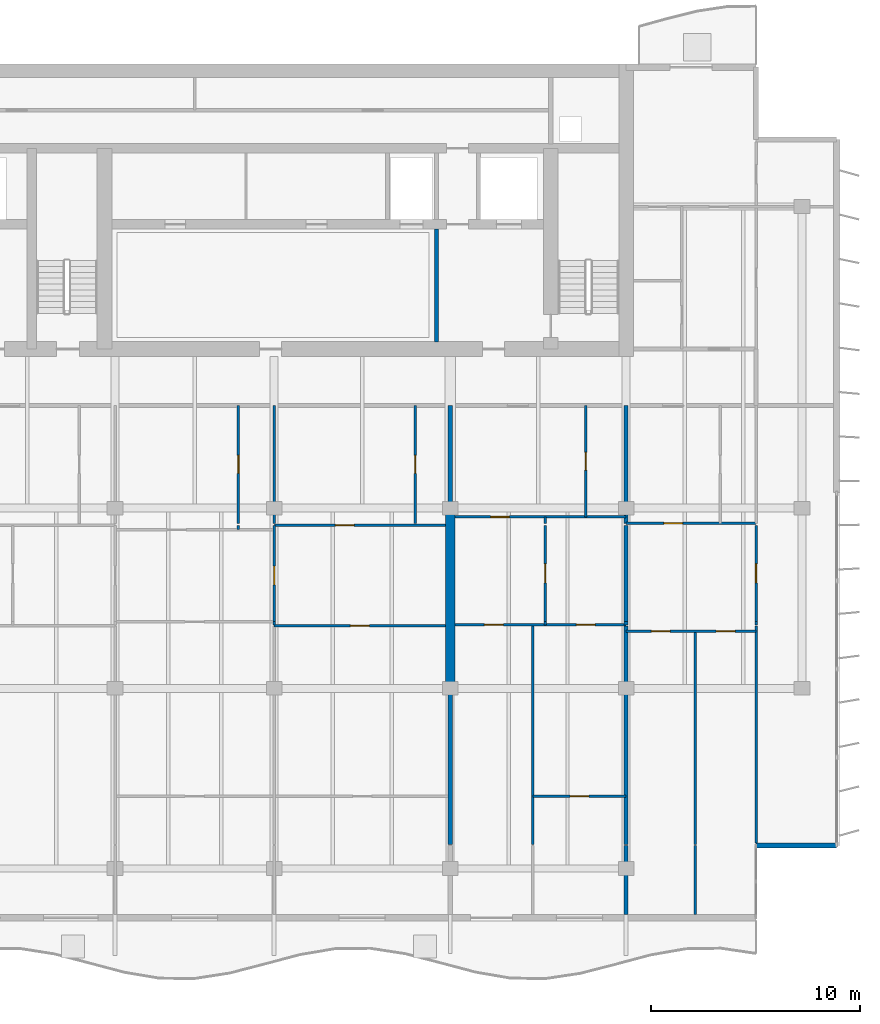
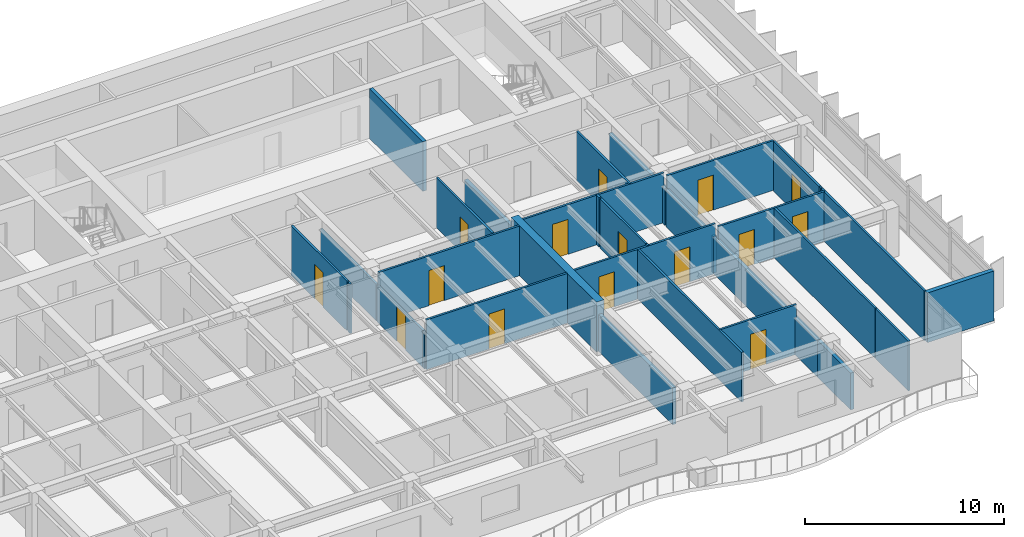
# One storey, part 10 of 19: 33 walls, 15 doors, 15 openings.
"""IFC4 building model written with IfcOpenShell, lengths in metres."""

import ifcopenshell
import ifcopenshell.guid

model = None  # the IFC model being written
_history = None  # IfcOwnerHistory: only IFC2X3 demands one
_inside = {}  # id of a spatial element -> (the spatial element, [elements in it])
_under = {}  # id of a project, library or spatial element -> (it, [spatial elements below it])
_declared = {}  # id of a project -> (the project, [libraries it declares])
_typed = {}  # id of a type object -> (the type object, [elements of that type])
_made_of = {}  # id of a material, layer set ... -> (it, [elements and type objects made of it])


def new_model(schema):
    """Start an empty IFC model of exactly this schema.

    Asked for "IFC4X3", IfcOpenShell would pick the latest addendum, in which some entities
    have other attributes; the version numbers below select the first issue.
    IFC2X3 requires an IfcOwnerHistory on every rooted entity: one is made here for all.
    """
    global model, _history
    if schema == "IFC4X3":
        model = ifcopenshell.file(schema_version=(4, 3, 0, 0))
    else:
        model = ifcopenshell.file(schema=schema)
    _inside.clear()
    _under.clear()
    _declared.clear()
    _typed.clear()
    _made_of.clear()
    _history = None
    if model.schema == "IFC2X3":
        org = make("IfcOrganization", Name="unknown")
        user = make(
            "IfcPersonAndOrganization",
            ThePerson=make("IfcPerson", FamilyName="unknown"),
            TheOrganization=org,
        )
        app = make(
            "IfcApplication",
            ApplicationDeveloper=org,
            Version="unknown",
            ApplicationFullName="unknown",
            ApplicationIdentifier="unknown",
        )
        _history = make(
            "IfcOwnerHistory",
            OwningUser=user,
            OwningApplication=app,
            ChangeAction="ADDED",
            CreationDate=0,
        )
    return model


def make(cls, **values):
    """One entity of the class cls with the attributes given. An attribute that is None is left unset."""
    return model.create_entity(
        cls, **{name: value for name, value in values.items() if value is not None}
    )


def rooted(cls, **values):
    """An entity with a GlobalId (a new one), such as an element, a storey or a relation."""
    return make(cls, GlobalId=ifcopenshell.guid.new(), OwnerHistory=_history, **values)


def si_unit(unit_type, name, prefix=None):
    """IfcSIUnit, for example si_unit("LENGTHUNIT", "METRE", prefix="MILLI")."""
    return make("IfcSIUnit", UnitType=unit_type, Prefix=prefix, Name=name)


def assignment(units):
    """IfcUnitAssignment: the units of a project."""
    return None if units is None else make("IfcUnitAssignment", Units=units)


def point(xyz):
    """IfcCartesianPoint."""
    return None if xyz is None else make("IfcCartesianPoint", Coordinates=xyz)


def direction(xyz):
    """IfcDirection."""
    return None if xyz is None else make("IfcDirection", DirectionRatios=xyz)


def frame(location, z_axis=None, x_axis=None):
    """IfcAxis2Placement3D, a coordinate frame: its origin and axes. An axis left out is left unset."""
    return make(
        "IfcAxis2Placement3D",
        Location=point(location),
        Axis=direction(z_axis),
        RefDirection=direction(x_axis),
    )


def frame_2d(location, x_axis=None):
    """IfcAxis2Placement2D, a coordinate frame in the plane: its origin and x axis."""
    return make(
        "IfcAxis2Placement2D", Location=point(location), RefDirection=direction(x_axis)
    )


def origin():
    """The frame at (0, 0, 0) with its axes left unset."""
    return frame((0.0, 0.0, 0.0))


def place(relative_to, where):
    """IfcLocalPlacement: puts the frame where relative to a parent placement (None: the world)."""
    return make(
        "IfcLocalPlacement", PlacementRelTo=relative_to, RelativePlacement=where
    )


def context(
    kind, dimensions, precision=None, world=None, true_north=None, identifier=None
):
    """IfcGeometricRepresentationContext, for example the 3D "Model" context."""
    return make(
        "IfcGeometricRepresentationContext",
        ContextIdentifier=identifier,
        ContextType=kind,
        CoordinateSpaceDimension=dimensions,
        Precision=precision,
        WorldCoordinateSystem=world,
        TrueNorth=true_north,
    )


def subcontext(parent, identifier, kind, view, scale=None):
    """IfcGeometricRepresentationSubContext, for example "Body" below "Model"."""
    return make(
        "IfcGeometricRepresentationSubContext",
        ContextIdentifier=identifier,
        ContextType=kind,
        ParentContext=parent,
        TargetScale=scale,
        TargetView=view,
    )


def project(units=None, contexts=None):
    """IfcProject with its units and contexts."""
    return rooted(
        "IfcProject",
        Name="project",
        RepresentationContexts=contexts,
        UnitsInContext=assignment(units),
    )


def spatial(cls, under=None, at=None, **own):
    """A site, building, storey or space (cls), placed at a placement, below another one or the project."""
    s = rooted(cls, ObjectPlacement=at, **own)
    if under is not None:
        _under.setdefault(under.id(), (under, []))[1].append(s)
    return s


def profile(cls, at=None, kind="AREA", **sizes):
    """A parametric profile (cls). Its sizes go by their IFC names, for example OverallWidth=200.0."""
    return make(cls, ProfileType=kind, Position=at, **sizes)


def rectangle(**sizes):
    """IfcRectangleProfileDef."""
    return profile("IfcRectangleProfileDef", **sizes)


def extrude(swept, where, along, depth):
    """IfcExtrudedAreaSolid: the profile swept, set in the frame where, extruded along a direction by depth."""
    return make(
        "IfcExtrudedAreaSolid",
        SweptArea=swept,
        Position=where,
        ExtrudedDirection=direction(along),
        Depth=depth,
    )


def shape(context_of_items, identifier, shape_type, items):
    """IfcShapeRepresentation: the items that make up one representation, for example the "Body"."""
    return make(
        "IfcShapeRepresentation",
        ContextOfItems=context_of_items,
        RepresentationIdentifier=identifier,
        RepresentationType=shape_type,
        Items=items,
    )


def material(Name=None, Category=None):
    """IfcMaterial."""
    return make("IfcMaterial", Name=Name, Category=Category)


def layer(
    of_material, thickness, ventilated=None, Name=None, Category=None, Priority=None
):
    """IfcMaterialLayer: one layer of a wall or slab, of a material (None: an air gap)."""
    return make(
        "IfcMaterialLayer",
        Material=of_material,
        LayerThickness=thickness,
        IsVentilated=ventilated,
        Name=Name,
        Category=Category,
        Priority=Priority,
    )


def layer_set(layers, Name=None):
    """IfcMaterialLayerSet."""
    return make("IfcMaterialLayerSet", MaterialLayers=layers, LayerSetName=Name)


def made_of(thing, what):
    """Note that an element or type object is made of a material, layer set ...; save() writes the relation."""
    if what is not None:
        _made_of.setdefault(what.id(), (what, []))[1].append(thing)
    return thing


def type_object(cls, material=None, **own):
    """A type object (cls), such as IfcWallType, which elements share."""
    return made_of(rooted(cls, **own), material)


def element(
    cls,
    number,
    at=None,
    inside=None,
    cuts=None,
    type_object=None,
    material=None,
    context=None,
    identifier="Body",
    shape_type=None,
    held_by="IfcProductDefinitionShape",
    body=None,
    shapes=None,
    **own,
):
    """One element of the class cls, such as IfcWall. Its Tag is "e" and its number.

    at: its placement. inside: the storey or other place that contains it. cuts: it is an
    opening in that element (IfcRelVoidsElement). A single representation is given by context,
    identifier, shape_type and body (its items); several are given by shapes. held_by: the class
    of the entity that holds the representations. save() writes the other relations.
    """
    e = rooted(cls, Tag="e%d" % number, ObjectPlacement=at, **own)
    if body is not None:
        shapes = [shape(context, identifier, shape_type, body)]
    if shapes is not None:
        e.Representation = make(held_by, Representations=shapes)
    if inside is not None:
        _inside.setdefault(inside.id(), (inside, []))[1].append(e)
    if cuts is not None:
        rooted(
            "IfcRelVoidsElement", RelatingBuildingElement=cuts, RelatedOpeningElement=e
        )
    if type_object is not None:
        _typed.setdefault(type_object.id(), (type_object, []))[1].append(e)
    return made_of(e, material)


def fill(opening, filler):
    """IfcRelFillsElement: the door or window that sits in an opening."""
    return rooted(
        "IfcRelFillsElement",
        RelatingOpeningElement=opening,
        RelatedBuildingElement=filler,
    )


def aggregate(whole, parts):
    """IfcRelAggregates: a whole, such as a stair, and the parts it consists of."""
    return rooted("IfcRelAggregates", RelatingObject=whole, RelatedObjects=parts)


def save(model, path):
    """Write the relations noted so far, then the file.

    IfcRelAggregates (storeys below a building ...), IfcRelContainedInSpatialStructure (elements
    in a storey), IfcRelDefinesByType, IfcRelAssociatesMaterial and IfcRelDeclares: one each for
    every whole, place, type object, material and project.
    """
    for whole, parts in _under.values():
        aggregate(whole, parts)
    for where, things in _inside.values():
        rooted(
            "IfcRelContainedInSpatialStructure",
            RelatedElements=things,
            RelatingStructure=where,
        )
    for kind, things in _typed.values():
        rooted("IfcRelDefinesByType", RelatedObjects=things, RelatingType=kind)
    for what, things in _made_of.values():
        rooted("IfcRelAssociatesMaterial", RelatedObjects=things, RelatingMaterial=what)
    for by, libraries in _declared.values():
        rooted("IfcRelDeclares", RelatingContext=by, RelatedDefinitions=libraries)
    model.write(path)


model = new_model("IFC4")

# Units and contexts
model_context = context("Model", 3, precision=1e-05, world=origin(), true_north=direction((0.0, 1.0)))
body_context = subcontext(model_context, "Body", "Model", "MODEL_VIEW")
ifc_project = project(units=[si_unit("LENGTHUNIT", "METRE"), si_unit("AREAUNIT", "SQUARE_METRE"), si_unit("VOLUMEUNIT", "CUBIC_METRE"), si_unit("PLANEANGLEUNIT", "RADIAN"), si_unit("MASSUNIT", "GRAM", prefix="KILO")], contexts=[model_context])

# Site, building, storey
site_placement = place(None, origin())
site = spatial("IfcSite", under=ifc_project, at=site_placement, CompositionType="ELEMENT")
building_placement = place(site_placement, origin())
building = spatial("IfcBuilding", under=site, at=building_placement, Name="Caelmar Bay Residences", CompositionType="ELEMENT")
storey_placement = place(building_placement, frame((0.0, 0.0, 256.199951171875)))
storey = spatial("IfcBuildingStorey", under=building, at=storey_placement, Name="L72", CompositionType="ELEMENT", Elevation=256.199951171875)

# Walls
ifc_material_1 = material(Name="Concrete f'c 55 MPa (8,000 psi)", Category="concrete")
ifc_layer_1 = layer(ifc_material_1, 0.449951171875)
ifc_layer_set_1 = layer_set([ifc_layer_1], Name="Concrete f'c 55 MPa (8,000 psi)")
wall_type_1 = type_object("IfcWallType", Name="SW-XSLB-450", PredefinedType="SHEAR", material=ifc_layer_set_1)
wall_1_placement = place(storey_placement, frame((51.10009765625, 20.800048828125, 0.0), z_axis=(0.0, 0.0, 1.0), x_axis=(0.0, 1.0, 0.0)))
element("IfcWall", 1, at=wall_1_placement, inside=storey, type_object=wall_type_1, Name="L72 Transverse Cross-Slab Shear Wall E8", PredefinedType="SHEAR", context=body_context, shape_type="SweptSolid", body=[
    extrude(rectangle(XDim=8.599853515625, YDim=0.449951171875, at=frame_2d((4.2998046875, 0.0))), origin(), (0.0, 0.0, 1.0), 3.050048828125),
])
ifc_material_2 = material(Name="Precast concrete f'c 40 MPa (6,000 psi)", Category="concrete")
ifc_layer_2 = layer(ifc_material_2, 0.25)
ifc_layer_set_2 = layer_set([ifc_layer_2], Name="Precast concrete f'c 40 MPa (6,000 psi)")
wall_type_2 = type_object("IfcWallType", Name="W-EXT-250", PredefinedType="ELEMENTEDWALL", material=ifc_layer_set_2)
wall_2_placement = place(storey_placement, frame((65.699951171875, 13.300048828125, 0.0), z_axis=(0.0, 0.0, 1.0), x_axis=(1.0, 0.0, 0.0)))
element("IfcWall", 2, at=wall_2_placement, inside=storey, type_object=wall_type_2, Name="L72 SE Notch Return Wall", PredefinedType="ELEMENTEDWALL", context=body_context, shape_type="SweptSolid", body=[
    extrude(rectangle(XDim=3.85009765625, YDim=0.25, at=frame_2d((1.925048828125, 0.0))), origin(), (0.0, 0.0, 1.0), 3.050048828125),
])
ifc_material_3 = material(Name="Fire-rated masonry and gypsum shaftliner assembly 200 mm", Category="masonry")
ifc_layer_3 = layer(ifc_material_3, 0.199951171875)
ifc_layer_set_3 = layer_set([ifc_layer_3], Name="Fire-rated masonry and gypsum shaftliner assembly 200 mm")
wall_type_3 = type_object("IfcWallType", Name="W-FSAE-200", PredefinedType="PARTITIONING", material=ifc_layer_set_3)
wall_3_placement = place(storey_placement, frame((50.449951171875, 37.344970703125, 0.0), z_axis=(0.0, 0.0, 1.0), x_axis=(0.0, 1.0, 0.0)))
element("IfcWall", 3, at=wall_3_placement, inside=storey, type_object=wall_type_3, Name="L72 Partition Wall V041", PredefinedType="PARTITIONING", context=body_context, shape_type="SweptSolid", body=[
    extrude(rectangle(XDim=5.385009765625, YDim=0.199951171875, at=frame_2d((2.6923828125, 0.0))), origin(), (0.0, 0.0, 1.0), 3.050048828125),
])
ifc_material_4 = material(Name="Acoustic metal-stud gypsum partition 120 mm")
ifc_layer_4 = layer(ifc_material_4, 0.1201171875)
ifc_layer_set_4 = layer_set([ifc_layer_4], Name="Acoustic metal-stud gypsum partition 120 mm")
wall_type_4 = type_object("IfcWallType", Name="W-PRT-120", PredefinedType="PARTITIONING", material=ifc_layer_set_4)
wall_4_placement = place(storey_placement, frame((40.993896484375, 28.3798828125, 0.0), z_axis=(0.0, 0.0, 1.0), x_axis=(0.0, 1.0, 0.0)))
element("IfcWall", 4, at=wall_4_placement, inside=storey, type_object=wall_type_4, Name="L72 Partition Wall V031", PredefinedType="PARTITIONING", context=body_context, shape_type="SweptSolid", body=[
    extrude(rectangle(XDim=0.2001953125, YDim=0.1201171875, at=frame_2d((0.10009765625, 0.0))), origin(), (0.0, 0.0, 1.0), 3.050048828125),
])

# Wall, opening, door
wall_5_placement = place(storey_placement, frame((40.993896484375, 28.679931640625, 0.0), z_axis=(0.0, 0.0, 1.0), x_axis=(0.0, 1.0, 0.0)))
wall_5 = element("IfcWall", 5, at=wall_5_placement, inside=storey, type_object=wall_type_4, Name="L72 Partition Wall V032", PredefinedType="PARTITIONING", context=body_context, shape_type="SweptSolid", body=[
    extrude(rectangle(XDim=5.6201171875, YDim=0.1201171875, at=frame_2d((2.81005859375, 0.0))), origin(), (0.0, 0.0, 1.0), 3.050048828125),
])
opening_1_placement = place(wall_5_placement, frame((2.385009765625, 0.0, 0.0)))
opening_1 = element("IfcOpeningElement", 6, at=opening_1_placement, cuts=wall_5, Name="Opening D-L72-136", PredefinedType="OPENING", context=body_context, shape_type="SweptSolid", body=[
    extrude(rectangle(XDim=0.85009765625, YDim=2.10009765625, at=frame_2d((0.425048828125, 1.050048828125))), frame((0.0, 0.070068359375, 0.0), z_axis=(0.0, -1.0, 0.0), x_axis=(1.0, 0.0, 0.0)), (0.0, 0.0, 1.0), 0.14013671875),
])
ifc_material_5 = material(Name="Solid walnut timber interior door leaf and frame", Category="wood")
ifc_layer_5 = layer(ifc_material_5, 0.050048828125)
ifc_layer_set_5 = layer_set([ifc_layer_5], Name="Solid walnut timber interior door leaf and frame")
door_type_1 = type_object("IfcDoorType", Name="D-BATH-850", OperationType="NOTDEFINED", PredefinedType="DOOR", material=ifc_layer_set_5)
door_1_placement = place(opening_1_placement, origin())
door_1 = element("IfcDoor", 7, at=door_1_placement, inside=storey, type_object=door_type_1, Name="L72 Residence 02 En-Suite Bathroom 1 Door", OperationType="SINGLE_SWING_RIGHT", OverallHeight=2.10009765625, OverallWidth=0.85009765625, PredefinedType="DOOR", context=body_context, shape_type="SweptSolid", body=[
    extrude(rectangle(XDim=0.85009765625, YDim=2.10009765625, at=frame_2d((0.425048828125, 1.050048828125))), frame((0.0, 0.02490234375, 0.0), z_axis=(0.0, -1.0, 0.0), x_axis=(1.0, 0.0, 0.0)), (0.0, 0.0, 1.0), 0.050048828125),
])
fill(opening_1, door_1)

# Wall
wall_6_placement = place(storey_placement, frame((42.699951171875, 23.830078125, 0.0), z_axis=(0.0, 0.0, 1.0), x_axis=(0.0, 1.0, 0.0)))
element("IfcWall", 8, at=wall_6_placement, inside=storey, type_object=wall_type_4, Name="L72 Partition Wall V036", PredefinedType="PARTITIONING", context=body_context, shape_type="SweptSolid", body=[
    extrude(rectangle(XDim=0.14990234375, YDim=0.1201171875, at=frame_2d((0.074951171875, 0.0))), origin(), (0.0, 0.0, 1.0), 2.262939453125),
])

# Wall, opening, door
wall_7_placement = place(storey_placement, frame((42.699951171875, 24.0, 0.0), z_axis=(0.0, 0.0, 1.0), x_axis=(0.0, 1.0, 0.0)))
wall_7 = element("IfcWall", 9, at=wall_7_placement, inside=storey, type_object=wall_type_4, Name="L72 Partition Wall V037", PredefinedType="PARTITIONING", context=body_context, shape_type="SweptSolid", body=[
    extrude(rectangle(XDim=4.580078125, YDim=0.1201171875, at=frame_2d((2.2900390625, 0.0))), origin(), (0.0, 0.0, 1.0), 2.262939453125),
])
opening_2_placement = place(wall_7_placement, frame((1.739990234375, 0.0, 0.0)))
opening_2 = element("IfcOpeningElement", 10, at=opening_2_placement, cuts=wall_7, Name="Opening D-L72-139", PredefinedType="OPENING", context=body_context, shape_type="SweptSolid", body=[
    extrude(rectangle(XDim=0.89990234375, YDim=2.14990234375, at=frame_2d((0.449951171875, 1.074951171875))), frame((0.0, 0.070068359375, 0.0), z_axis=(0.0, -1.0, 0.0), x_axis=(1.0, 0.0, 0.0)), (0.0, 0.0, 1.0), 0.14013671875),
])
ifc_layer_6 = layer(ifc_material_5, 0.050048828125)
ifc_layer_set_6 = layer_set([ifc_layer_6], Name="Solid walnut timber interior door leaf and frame")
door_type_2 = type_object("IfcDoorType", Name="D-ROOM-900", OperationType="NOTDEFINED", PredefinedType="DOOR", material=ifc_layer_set_6)
door_2_placement = place(opening_2_placement, origin())
door_2 = element("IfcDoor", 11, at=door_2_placement, inside=storey, type_object=door_type_2, Name="L72 Residence 02 Family Room 2 Door", OperationType="SINGLE_SWING_LEFT", OverallHeight=2.14990234375, OverallWidth=0.89990234375, PredefinedType="DOOR", context=body_context, shape_type="SweptSolid", body=[
    extrude(rectangle(XDim=0.89990234375, YDim=2.14990234375, at=frame_2d((0.449951171875, 1.074951171875))), frame((0.0, 0.02490234375, 0.0), z_axis=(0.0, -1.0, 0.0), x_axis=(1.0, 0.0, 0.0)), (0.0, 0.0, 1.0), 0.050048828125),
])
fill(opening_2, door_2)

# Wall
wall_8_placement = place(storey_placement, frame((42.699951171875, 28.679931640625, 0.0), z_axis=(0.0, 0.0, 1.0), x_axis=(0.0, 1.0, 0.0)))
element("IfcWall", 12, at=wall_8_placement, inside=storey, type_object=wall_type_4, Name="L72 Partition Wall V038", PredefinedType="PARTITIONING", context=body_context, shape_type="SweptSolid", body=[
    extrude(rectangle(XDim=5.6201171875, YDim=0.1201171875, at=frame_2d((2.81005859375, 0.0))), origin(), (0.0, 0.0, 1.0), 2.262939453125),
])

# Wall, opening, door
wall_9_placement = place(storey_placement, frame((49.422119140625, 28.679931640625, 0.0), z_axis=(0.0, 0.0, 1.0), x_axis=(0.0, 1.0, 0.0)))
wall_9 = element("IfcWall", 13, at=wall_9_placement, inside=storey, type_object=wall_type_4, Name="L72 Partition Wall V040", PredefinedType="PARTITIONING", context=body_context, shape_type="SweptSolid", body=[
    extrude(rectangle(XDim=5.6201171875, YDim=0.1201171875, at=frame_2d((2.81005859375, 0.0))), origin(), (0.0, 0.0, 1.0), 3.050048828125),
])
opening_3_placement = place(wall_9_placement, frame((2.385009765625, 0.0, 0.0)))
opening_3 = element("IfcOpeningElement", 14, at=opening_3_placement, cuts=wall_9, Name="Opening D-L72-141", PredefinedType="OPENING", context=body_context, shape_type="SweptSolid", body=[
    extrude(rectangle(XDim=0.85009765625, YDim=2.10009765625, at=frame_2d((0.425048828125, 1.050048828125))), frame((0.0, 0.070068359375, 0.0), z_axis=(0.0, -1.0, 0.0), x_axis=(1.0, 0.0, 0.0)), (0.0, 0.0, 1.0), 0.14013671875),
])
door_3_placement = place(opening_3_placement, origin())
door_3 = element("IfcDoor", 15, at=door_3_placement, inside=storey, type_object=door_type_1, Name="L72 Residence 02 En-Suite Bathroom 2 Door", OperationType="SINGLE_SWING_LEFT", OverallHeight=2.10009765625, OverallWidth=0.85009765625, PredefinedType="DOOR", context=body_context, shape_type="SweptSolid", body=[
    extrude(rectangle(XDim=0.85009765625, YDim=2.10009765625, at=frame_2d((0.425048828125, 1.050048828125))), frame((0.0, 0.02490234375, 0.0), z_axis=(0.0, -1.0, 0.0), x_axis=(1.0, 0.0, 0.0)), (0.0, 0.0, 1.0), 0.050048828125),
])
fill(opening_3, door_3)

# Walls
wall_10_placement = place(storey_placement, frame((55.048095703125, 13.340087890625, 0.0), z_axis=(0.0, 0.0, 1.0), x_axis=(0.0, 1.0, 0.0)))
element("IfcWall", 16, at=wall_10_placement, inside=storey, type_object=wall_type_4, Name="L72 Partition Wall V048", PredefinedType="PARTITIONING", context=body_context, shape_type="SweptSolid", body=[
    extrude(rectangle(XDim=10.43994140625, YDim=0.1201171875, at=frame_2d((5.219970703125, 0.0))), origin(), (0.0, 0.0, 1.0), 3.050048828125),
])
wall_11_placement = place(storey_placement, frame((55.635986328125, 23.830078125, 0.0), z_axis=(0.0, 0.0, 1.0), x_axis=(0.0, 1.0, 0.0)))
element("IfcWall", 17, at=wall_11_placement, inside=storey, type_object=wall_type_4, Name="L72 Partition Wall V049", PredefinedType="PARTITIONING", context=body_context, shape_type="SweptSolid", body=[
    extrude(rectangle(XDim=0.14990234375, YDim=0.1201171875, at=frame_2d((0.074951171875, 0.0))), origin(), (0.0, 0.0, 1.0), 3.050048828125),
])

# Wall, opening, door
wall_12_placement = place(storey_placement, frame((55.635986328125, 24.0, 0.0), z_axis=(0.0, 0.0, 1.0), x_axis=(0.0, 1.0, 0.0)))
wall_12 = element("IfcWall", 18, at=wall_12_placement, inside=storey, type_object=wall_type_4, Name="L72 Partition Wall V050", PredefinedType="PARTITIONING", context=body_context, shape_type="SweptSolid", body=[
    extrude(rectangle(XDim=4.580078125, YDim=0.1201171875, at=frame_2d((2.2900390625, 0.0))), origin(), (0.0, 0.0, 1.0), 3.050048828125),
])
opening_4_placement = place(wall_12_placement, frame((1.840087890625, 0.0, 0.0)))
opening_4 = element("IfcOpeningElement", 19, at=opening_4_placement, cuts=wall_12, Name="Opening D-L72-147", PredefinedType="OPENING", context=body_context, shape_type="SweptSolid", body=[
    extrude(rectangle(XDim=0.89990234375, YDim=2.14990234375, at=frame_2d((0.449951171875, 1.074951171875))), frame((0.0, 0.070068359375, 0.0), z_axis=(0.0, -1.0, 0.0), x_axis=(1.0, 0.0, 0.0)), (0.0, 0.0, 1.0), 0.14013671875),
])
door_4_placement = place(opening_4_placement, origin())
door_4 = element("IfcDoor", 20, at=door_4_placement, inside=storey, type_object=door_type_2, Name="L72 Residence 03 Study Door", OperationType="SINGLE_SWING_LEFT", OverallHeight=2.14990234375, OverallWidth=0.89990234375, PredefinedType="DOOR", context=body_context, shape_type="SweptSolid", body=[
    extrude(rectangle(XDim=0.89990234375, YDim=2.14990234375, at=frame_2d((0.449951171875, 1.074951171875))), frame((0.0, 0.02490234375, 0.0), z_axis=(0.0, -1.0, 0.0), x_axis=(1.0, 0.0, 0.0)), (0.0, 0.0, 1.0), 0.050048828125),
])
fill(opening_4, door_4)

# Wall
wall_13_placement = place(storey_placement, frame((55.635986328125, 28.679931640625, 0.0), z_axis=(0.0, 0.0, 1.0), x_axis=(0.0, 1.0, 0.0)))
element("IfcWall", 21, at=wall_13_placement, inside=storey, type_object=wall_type_4, Name="L72 Partition Wall V051", PredefinedType="PARTITIONING", context=body_context, shape_type="SweptSolid", body=[
    extrude(rectangle(XDim=0.300048828125, YDim=0.1201171875, at=frame_2d((0.14990234375, 0.0))), origin(), (0.0, 0.0, 1.0), 3.050048828125),
])

# Wall, opening, door
wall_14_placement = place(storey_placement, frame((57.56396484375, 28.97998046875, 0.0), z_axis=(0.0, 0.0, 1.0), x_axis=(0.0, 1.0, 0.0)))
wall_14 = element("IfcWall", 22, at=wall_14_placement, inside=storey, type_object=wall_type_4, Name="L72 Partition Wall V053", PredefinedType="PARTITIONING", context=body_context, shape_type="SweptSolid", body=[
    extrude(rectangle(XDim=5.320068359375, YDim=0.1201171875, at=frame_2d((2.66015625, 0.0))), origin(), (0.0, 0.0, 1.0), 3.050048828125),
])
opening_5_placement = place(wall_14_placement, frame((2.235107421875, 0.0, 0.0)))
opening_5 = element("IfcOpeningElement", 23, at=opening_5_placement, cuts=wall_14, Name="Opening D-L72-145", PredefinedType="OPENING", context=body_context, shape_type="SweptSolid", body=[
    extrude(rectangle(XDim=0.85009765625, YDim=2.10009765625, at=frame_2d((0.425048828125, 1.050048828125))), frame((0.0, 0.070068359375, 0.0), z_axis=(0.0, -1.0, 0.0), x_axis=(1.0, 0.0, 0.0)), (0.0, 0.0, 1.0), 0.14013671875),
])
door_5_placement = place(opening_5_placement, origin())
door_5 = element("IfcDoor", 24, at=door_5_placement, inside=storey, type_object=door_type_1, Name="L72 Residence 03 Bathroom Door", OperationType="SINGLE_SWING_LEFT", OverallHeight=2.10009765625, OverallWidth=0.85009765625, PredefinedType="DOOR", context=body_context, shape_type="SweptSolid", body=[
    extrude(rectangle(XDim=0.85009765625, YDim=2.10009765625, at=frame_2d((0.425048828125, 1.050048828125))), frame((0.0, 0.02490234375, 0.0), z_axis=(0.0, -1.0, 0.0), x_axis=(1.0, 0.0, 0.0)), (0.0, 0.0, 1.0), 0.050048828125),
])
fill(opening_5, door_5)

# Walls
wall_15_placement = place(storey_placement, frame((62.800048828125, 9.9951171875, 0.0), z_axis=(0.0, 0.0, 1.0), x_axis=(0.0, 1.0, 0.0)))
element("IfcWall", 25, at=wall_15_placement, inside=storey, type_object=wall_type_4, Name="L72 Partition Wall V060", PredefinedType="PARTITIONING", context=body_context, shape_type="SweptSolid", body=[
    extrude(rectangle(XDim=3.304931640625, YDim=0.1201171875, at=frame_2d((1.65234375, 0.0))), origin(), (0.0, 0.0, 1.0), 3.050048828125),
])
wall_16_placement = place(storey_placement, frame((62.800048828125, 13.340087890625, 0.0), z_axis=(0.0, 0.0, 1.0), x_axis=(0.0, 1.0, 0.0)))
element("IfcWall", 26, at=wall_16_placement, inside=storey, type_object=wall_type_4, Name="L72 Partition Wall V061", PredefinedType="PARTITIONING", context=body_context, shape_type="SweptSolid", body=[
    extrude(rectangle(XDim=10.18994140625, YDim=0.1201171875, at=frame_2d((5.094970703125, 0.0))), origin(), (0.0, 0.0, 1.0), 3.050048828125),
])
wall_17_placement = place(storey_placement, frame((65.699951171875, 13.419921875, 0.0), z_axis=(0.0, 0.0, 1.0), x_axis=(0.0, 1.0, 0.0)))
element("IfcWall", 27, at=wall_17_placement, inside=storey, type_object=wall_type_4, Name="L72 Partition Wall V063", PredefinedType="PARTITIONING", context=body_context, shape_type="SweptSolid", body=[
    extrude(rectangle(XDim=10.360107421875, YDim=0.1201171875, at=frame_2d((5.18017578125, 0.0))), origin(), (0.0, 0.0, 1.0), 3.050048828125),
])
wall_18_placement = place(storey_placement, frame((65.699951171875, 23.830078125, 0.0), z_axis=(0.0, 0.0, 1.0), x_axis=(0.0, 1.0, 0.0)))
element("IfcWall", 28, at=wall_18_placement, inside=storey, type_object=wall_type_4, Name="L72 Partition Wall V064", PredefinedType="PARTITIONING", context=body_context, shape_type="SweptSolid", body=[
    extrude(rectangle(XDim=0.14990234375, YDim=0.1201171875, at=frame_2d((0.074951171875, 0.0))), origin(), (0.0, 0.0, 1.0), 3.050048828125),
])

# Wall, opening, door
wall_19_placement = place(storey_placement, frame((65.699951171875, 24.0, 0.0), z_axis=(0.0, 0.0, 1.0), x_axis=(0.0, 1.0, 0.0)))
wall_19 = element("IfcWall", 29, at=wall_19_placement, inside=storey, type_object=wall_type_4, Name="L72 Partition Wall V065", PredefinedType="PARTITIONING", context=body_context, shape_type="SweptSolid", body=[
    extrude(rectangle(XDim=4.580078125, YDim=0.1201171875, at=frame_2d((2.2900390625, 0.0))), origin(), (0.0, 0.0, 1.0), 3.050048828125),
])
opening_6_placement = place(wall_19_placement, frame((1.840087890625, 0.0, 0.0)))
opening_6 = element("IfcOpeningElement", 30, at=opening_6_placement, cuts=wall_19, Name="Opening D-L72-157", PredefinedType="OPENING", context=body_context, shape_type="SweptSolid", body=[
    extrude(rectangle(XDim=0.89990234375, YDim=2.14990234375, at=frame_2d((0.449951171875, 1.074951171875))), frame((0.0, 0.070068359375, 0.0), z_axis=(0.0, -1.0, 0.0), x_axis=(1.0, 0.0, 0.0)), (0.0, 0.0, 1.0), 0.14013671875),
])
door_6_placement = place(opening_6_placement, origin())
door_6 = element("IfcDoor", 31, at=door_6_placement, inside=storey, type_object=door_type_2, Name="L72 Residence 04 Penthouse East Salon Door", OperationType="SINGLE_SWING_LEFT", OverallHeight=2.14990234375, OverallWidth=0.89990234375, PredefinedType="DOOR", context=body_context, shape_type="SweptSolid", body=[
    extrude(rectangle(XDim=0.89990234375, YDim=2.14990234375, at=frame_2d((0.449951171875, 1.074951171875))), frame((0.0, 0.02490234375, 0.0), z_axis=(0.0, -1.0, 0.0), x_axis=(1.0, 0.0, 0.0)), (0.0, 0.0, 1.0), 0.050048828125),
])
fill(opening_6, door_6)

wall_20_placement = place(storey_placement, frame((55.048095703125, 15.64990234375, 0.0), z_axis=(0.0, 0.0, 1.0), x_axis=(1.0, 0.0, 0.0)))
wall_20 = element("IfcWall", 32, at=wall_20_placement, inside=storey, type_object=wall_type_4, Name="L72 Partition Wall H071", PredefinedType="PARTITIONING", context=body_context, shape_type="SweptSolid", body=[
    extrude(rectangle(XDim=4.451904296875, YDim=0.1201171875, at=frame_2d((2.22607421875, 0.0))), origin(), (0.0, 0.0, 1.0), 3.050048828125),
])
opening_7_placement = place(wall_20_placement, frame((1.77587890625, 0.0, 0.0)))
opening_7 = element("IfcOpeningElement", 33, at=opening_7_placement, cuts=wall_20, Name="Opening D-L72-150", PredefinedType="OPENING", context=body_context, shape_type="SweptSolid", body=[
    extrude(rectangle(XDim=0.89990234375, YDim=2.14990234375, at=frame_2d((0.449951171875, 1.074951171875))), frame((0.0, 0.070068359375, 0.0), z_axis=(0.0, -1.0, 0.0), x_axis=(1.0, 0.0, 0.0)), (0.0, 0.0, 1.0), 0.14013671875),
])
door_7_placement = place(opening_7_placement, origin())
door_7 = element("IfcDoor", 34, at=door_7_placement, inside=storey, type_object=door_type_2, Name="L72 Residence 03 Primary Bedroom Door", OperationType="SINGLE_SWING_RIGHT", OverallHeight=2.14990234375, OverallWidth=0.89990234375, PredefinedType="DOOR", context=body_context, shape_type="SweptSolid", body=[
    extrude(rectangle(XDim=0.89990234375, YDim=2.14990234375, at=frame_2d((0.449951171875, 1.074951171875))), frame((0.0, 0.02490234375, 0.0), z_axis=(0.0, -1.0, 0.0), x_axis=(1.0, 0.0, 0.0)), (0.0, 0.0, 1.0), 0.050048828125),
])
fill(opening_7, door_7)

# Wall, openings, doors
wall_21_placement = place(storey_placement, frame((59.5, 23.530029296875, 0.0), z_axis=(0.0, 0.0, 1.0), x_axis=(1.0, 0.0, 0.0)))
wall_21 = element("IfcWall", 35, at=wall_21_placement, inside=storey, type_object=wall_type_4, Name="L72 Partition Wall H072", PredefinedType="PARTITIONING", context=body_context, shape_type="SweptSolid", body=[
    extrude(rectangle(XDim=6.199951171875, YDim=0.1201171875, at=frame_2d((3.10009765625, 0.0))), origin(), (0.0, 0.0, 1.0), 3.050048828125),
])
opening_8_placement = place(wall_21_placement, frame((1.199951171875, 0.0, 0.0)))
opening_8 = element("IfcOpeningElement", 36, at=opening_8_placement, cuts=wall_21, Name="Opening D-L72-154", PredefinedType="OPENING", context=body_context, shape_type="SweptSolid", body=[
    extrude(rectangle(XDim=0.89990234375, YDim=2.14990234375, at=frame_2d((0.449951171875, 1.074951171875))), frame((0.0, 0.070068359375, 0.0), z_axis=(0.0, -1.0, 0.0), x_axis=(1.0, 0.0, 0.0)), (0.0, 0.0, 1.0), 0.14013671875),
])
opening_9_placement = place(wall_21_placement, frame((4.300048828125, 0.0, 0.0)))
opening_9 = element("IfcOpeningElement", 37, at=opening_9_placement, cuts=wall_21, Name="Opening D-L72-155", PredefinedType="OPENING", context=body_context, shape_type="SweptSolid", body=[
    extrude(rectangle(XDim=0.89990234375, YDim=2.14990234375, at=frame_2d((0.449951171875, 1.074951171875))), frame((0.0, 0.070068359375, 0.0), z_axis=(0.0, -1.0, 0.0), x_axis=(1.0, 0.0, 0.0)), (0.0, 0.0, 1.0), 0.14013671875),
])
door_8_placement = place(opening_8_placement, origin())
door_8 = element("IfcDoor", 38, at=door_8_placement, inside=storey, type_object=door_type_2, Name="L72 Residence 04 Living Room Door", OperationType="SINGLE_SWING_RIGHT", OverallHeight=2.14990234375, OverallWidth=0.89990234375, PredefinedType="DOOR", context=body_context, shape_type="SweptSolid", body=[
    extrude(rectangle(XDim=0.89990234375, YDim=2.14990234375, at=frame_2d((0.449951171875, 1.074951171875))), frame((0.0, 0.02490234375, 0.0), z_axis=(0.0, -1.0, 0.0), x_axis=(1.0, 0.0, 0.0)), (0.0, 0.0, 1.0), 0.050048828125),
])
fill(opening_8, door_8)
door_9_placement = place(opening_9_placement, origin())
door_9 = element("IfcDoor", 39, at=door_9_placement, inside=storey, type_object=door_type_2, Name="L72 Residence 04 Primary Bedroom Door", OperationType="SINGLE_SWING_LEFT", OverallHeight=2.14990234375, OverallWidth=0.89990234375, PredefinedType="DOOR", context=body_context, shape_type="SweptSolid", body=[
    extrude(rectangle(XDim=0.89990234375, YDim=2.14990234375, at=frame_2d((0.449951171875, 1.074951171875))), frame((0.0, 0.02490234375, 0.0), z_axis=(0.0, -1.0, 0.0), x_axis=(1.0, 0.0, 0.0)), (0.0, 0.0, 1.0), 0.050048828125),
])
fill(opening_9, door_9)

# Wall, opening, door
wall_22_placement = place(storey_placement, frame((42.699951171875, 23.780029296875, 0.0), z_axis=(0.0, 0.0, 1.0), x_axis=(1.0, 0.0, 0.0)))
wall_22 = element("IfcWall", 40, at=wall_22_placement, inside=storey, type_object=wall_type_4, Name="L72 Partition Wall H074", PredefinedType="PARTITIONING", context=body_context, shape_type="SweptSolid", body=[
    extrude(rectangle(XDim=8.179931640625, YDim=0.1201171875, at=frame_2d((4.08984375, 0.0))), origin(), (0.0, 0.0, 1.0), 3.050048828125),
])
opening_10_placement = place(wall_22_placement, frame((3.639892578125, 0.0, 0.0)))
opening_10 = element("IfcOpeningElement", 41, at=opening_10_placement, cuts=wall_22, Name="Opening D-L72-142", PredefinedType="OPENING", context=body_context, shape_type="SweptSolid", body=[
    extrude(rectangle(XDim=0.89990234375, YDim=2.14990234375, at=frame_2d((0.449951171875, 1.074951171875))), frame((0.0, 0.070068359375, 0.0), z_axis=(0.0, -1.0, 0.0), x_axis=(1.0, 0.0, 0.0)), (0.0, 0.0, 1.0), 0.14013671875),
])
door_10_placement = place(opening_10_placement, origin())
door_10 = element("IfcDoor", 42, at=door_10_placement, inside=storey, type_object=door_type_2, Name="L72 Residence 02 Penthouse Sitting Salon 2 Door", OperationType="SINGLE_SWING_RIGHT", OverallHeight=2.14990234375, OverallWidth=0.89990234375, PredefinedType="DOOR", context=body_context, shape_type="SweptSolid", body=[
    extrude(rectangle(XDim=0.89990234375, YDim=2.14990234375, at=frame_2d((0.449951171875, 1.074951171875))), frame((0.0, 0.02490234375, 0.0), z_axis=(0.0, -1.0, 0.0), x_axis=(1.0, 0.0, 0.0)), (0.0, 0.0, 1.0), 0.050048828125),
])
fill(opening_10, door_10)

# Wall, openings, doors
wall_23_placement = place(storey_placement, frame((51.320068359375, 23.830078125, 0.0), z_axis=(0.0, 0.0, 1.0), x_axis=(1.0, 0.0, 0.0)))
wall_23 = element("IfcWall", 43, at=wall_23_placement, inside=storey, type_object=wall_type_4, Name="L72 Partition Wall H075", PredefinedType="PARTITIONING", context=body_context, shape_type="SweptSolid", body=[
    extrude(rectangle(XDim=8.179931640625, YDim=0.1201171875, at=frame_2d((4.08984375, 0.0))), origin(), (0.0, 0.0, 1.0), 3.050048828125),
])
opening_11_placement = place(wall_23_placement, frame((1.4140625, 0.0, 0.0)))
opening_11 = element("IfcOpeningElement", 44, at=opening_11_placement, cuts=wall_23, Name="Opening D-L72-148", PredefinedType="OPENING", context=body_context, shape_type="SweptSolid", body=[
    extrude(rectangle(XDim=0.89990234375, YDim=2.14990234375, at=frame_2d((0.449951171875, 1.074951171875))), frame((0.0, 0.070068359375, 0.0), z_axis=(0.0, -1.0, 0.0), x_axis=(1.0, 0.0, 0.0)), (0.0, 0.0, 1.0), 0.14013671875),
])
opening_12_placement = place(wall_23_placement, frame((5.798095703125, 0.0, 0.0)))
opening_12 = element("IfcOpeningElement", 45, at=opening_12_placement, cuts=wall_23, Name="Opening D-L72-149", PredefinedType="OPENING", context=body_context, shape_type="SweptSolid", body=[
    extrude(rectangle(XDim=0.89990234375, YDim=2.14990234375, at=frame_2d((0.449951171875, 1.074951171875))), frame((0.0, 0.070068359375, 0.0), z_axis=(0.0, -1.0, 0.0), x_axis=(1.0, 0.0, 0.0)), (0.0, 0.0, 1.0), 0.14013671875),
])
door_11_placement = place(opening_11_placement, origin())
door_11 = element("IfcDoor", 46, at=door_11_placement, inside=storey, type_object=door_type_2, Name="L72 Residence 03 Living Room Door", OperationType="SINGLE_SWING_RIGHT", OverallHeight=2.14990234375, OverallWidth=0.89990234375, PredefinedType="DOOR", context=body_context, shape_type="SweptSolid", body=[
    extrude(rectangle(XDim=0.89990234375, YDim=2.14990234375, at=frame_2d((0.449951171875, 1.074951171875))), frame((0.0, 0.02490234375, 0.0), z_axis=(0.0, -1.0, 0.0), x_axis=(1.0, 0.0, 0.0)), (0.0, 0.0, 1.0), 0.050048828125),
])
fill(opening_11, door_11)
door_12_placement = place(opening_12_placement, origin())
door_12 = element("IfcDoor", 47, at=door_12_placement, inside=storey, type_object=door_type_2, Name="L72 Residence 03 Bedroom 2 Door", OperationType="SINGLE_SWING_LEFT", OverallHeight=2.14990234375, OverallWidth=0.89990234375, PredefinedType="DOOR", context=body_context, shape_type="SweptSolid", body=[
    extrude(rectangle(XDim=0.89990234375, YDim=2.14990234375, at=frame_2d((0.449951171875, 1.074951171875))), frame((0.0, 0.02490234375, 0.0), z_axis=(0.0, -1.0, 0.0), x_axis=(1.0, 0.0, 0.0)), (0.0, 0.0, 1.0), 0.050048828125),
])
fill(opening_12, door_12)

# Wall, opening, door
wall_24_placement = place(storey_placement, frame((42.705078125, 28.580078125, 0.0), z_axis=(0.0, 0.0, 1.0), x_axis=(1.0, 0.0, 0.0)))
wall_24 = element("IfcWall", 48, at=wall_24_placement, inside=storey, type_object=wall_type_4, Name="L72 Partition Wall H081", PredefinedType="PARTITIONING", context=body_context, shape_type="SweptSolid", body=[
    extrude(rectangle(XDim=8.1748046875, YDim=0.1201171875, at=frame_2d((4.08740234375, 0.0))), origin(), (0.0, 0.0, 1.0), 3.050048828125),
])
opening_13_placement = place(wall_24_placement, frame((2.908447265625, 0.0, 0.0)))
opening_13 = element("IfcOpeningElement", 49, at=opening_13_placement, cuts=wall_24, Name="Opening D-L72-140", PredefinedType="OPENING", context=body_context, shape_type="SweptSolid", body=[
    extrude(rectangle(XDim=0.89990234375, YDim=2.14990234375, at=frame_2d((0.449951171875, 1.074951171875))), frame((0.0, 0.070068359375, 0.0), z_axis=(0.0, -1.0, 0.0), x_axis=(1.0, 0.0, 0.0)), (0.0, 0.0, 1.0), 0.14013671875),
])
door_13_placement = place(opening_13_placement, origin())
door_13 = element("IfcDoor", 50, at=door_13_placement, inside=storey, type_object=door_type_2, Name="L72 Residence 02 Sitting Room 2 Door", OperationType="SINGLE_SWING_RIGHT", OverallHeight=2.14990234375, OverallWidth=0.89990234375, PredefinedType="DOOR", context=body_context, shape_type="SweptSolid", body=[
    extrude(rectangle(XDim=0.89990234375, YDim=2.14990234375, at=frame_2d((0.449951171875, 1.074951171875))), frame((0.0, 0.02490234375, 0.0), z_axis=(0.0, -1.0, 0.0), x_axis=(1.0, 0.0, 0.0)), (0.0, 0.0, 1.0), 0.050048828125),
])
fill(opening_13, door_13)

wall_25_placement = place(storey_placement, frame((59.5, 28.679931640625, 0.0), z_axis=(0.0, 0.0, 1.0), x_axis=(1.0, 0.0, 0.0)))
wall_25 = element("IfcWall", 51, at=wall_25_placement, inside=storey, type_object=wall_type_4, Name="L72 Partition Wall H083", PredefinedType="PARTITIONING", context=body_context, shape_type="SweptSolid", body=[
    extrude(rectangle(XDim=6.199951171875, YDim=0.1201171875, at=frame_2d((3.10009765625, 0.0))), origin(), (0.0, 0.0, 1.0), 3.050048828125),
])
opening_14_placement = place(wall_25_placement, frame((1.7958984375, 0.0, 0.0)))
opening_14 = element("IfcOpeningElement", 52, at=opening_14_placement, cuts=wall_25, Name="Opening D-L72-153", PredefinedType="OPENING", context=body_context, shape_type="SweptSolid", body=[
    extrude(rectangle(XDim=0.89990234375, YDim=2.14990234375, at=frame_2d((0.449951171875, 1.074951171875))), frame((0.0, 0.070068359375, 0.0), z_axis=(0.0, -1.0, 0.0), x_axis=(1.0, 0.0, 0.0)), (0.0, 0.0, 1.0), 0.14013671875),
])
door_14_placement = place(opening_14_placement, origin())
door_14 = element("IfcDoor", 53, at=door_14_placement, inside=storey, type_object=door_type_2, Name="L72 Residence 04 Kitchen Door", OperationType="SINGLE_SWING_LEFT", OverallHeight=2.14990234375, OverallWidth=0.89990234375, PredefinedType="DOOR", context=body_context, shape_type="SweptSolid", body=[
    extrude(rectangle(XDim=0.89990234375, YDim=2.14990234375, at=frame_2d((0.449951171875, 1.074951171875))), frame((0.0, 0.02490234375, 0.0), z_axis=(0.0, -1.0, 0.0), x_axis=(1.0, 0.0, 0.0)), (0.0, 0.0, 1.0), 0.050048828125),
])
fill(opening_14, door_14)

wall_26_placement = place(storey_placement, frame((51.320068359375, 28.97998046875, 0.0), z_axis=(0.0, 0.0, 1.0), x_axis=(1.0, 0.0, 0.0)))
wall_26 = element("IfcWall", 54, at=wall_26_placement, inside=storey, type_object=wall_type_4, Name="L72 Partition Wall H085", PredefinedType="PARTITIONING", context=body_context, shape_type="SweptSolid", body=[
    extrude(rectangle(XDim=8.179931640625, YDim=0.1201171875, at=frame_2d((4.08984375, 0.0))), origin(), (0.0, 0.0, 1.0), 3.050048828125),
])
opening_15_placement = place(wall_26_placement, frame((1.7080078125, 0.0, 0.0)))
opening_15 = element("IfcOpeningElement", 55, at=opening_15_placement, cuts=wall_26, Name="Opening D-L72-146", PredefinedType="OPENING", context=body_context, shape_type="SweptSolid", body=[
    extrude(rectangle(XDim=0.89990234375, YDim=2.14990234375, at=frame_2d((0.449951171875, 1.074951171875))), frame((0.0, 0.070068359375, 0.0), z_axis=(0.0, -1.0, 0.0), x_axis=(1.0, 0.0, 0.0)), (0.0, 0.0, 1.0), 0.14013671875),
])
door_15_placement = place(opening_15_placement, origin())
door_15 = element("IfcDoor", 56, at=door_15_placement, inside=storey, type_object=door_type_2, Name="L72 Residence 03 Kitchen Door", OperationType="SINGLE_SWING_RIGHT", OverallHeight=2.14990234375, OverallWidth=0.89990234375, PredefinedType="DOOR", context=body_context, shape_type="SweptSolid", body=[
    extrude(rectangle(XDim=0.89990234375, YDim=2.14990234375, at=frame_2d((0.449951171875, 1.074951171875))), frame((0.0, 0.02490234375, 0.0), z_axis=(0.0, -1.0, 0.0), x_axis=(1.0, 0.0, 0.0)), (0.0, 0.0, 1.0), 0.050048828125),
])
fill(opening_15, door_15)

# Walls
ifc_material_6 = material(Name="Acoustic twin-stud fire-rated inter-tenancy partition 200 mm")
ifc_layer_7 = layer(ifc_material_6, 0.199951171875)
ifc_layer_set_7 = layer_set([ifc_layer_7], Name="Acoustic twin-stud fire-rated inter-tenancy partition 200 mm")
wall_type_5 = type_object("IfcWallType", Name="W-PTY-200", PredefinedType="PARTITIONING", material=ifc_layer_set_7)
wall_27_placement = place(storey_placement, frame((51.10009765625, 13.340087890625, 0.0), z_axis=(0.0, 0.0, 1.0), x_axis=(0.0, 1.0, 0.0)))
element("IfcWall", 57, at=wall_27_placement, inside=storey, type_object=wall_type_5, Name="L72 Partition Wall V044", PredefinedType="PARTITIONING", context=body_context, shape_type="SweptSolid", body=[
    extrude(rectangle(XDim=7.454833984375, YDim=0.199951171875, at=frame_2d((3.7275390625, 0.0))), origin(), (0.0, 0.0, 1.0), 2.262939453125),
])
wall_28_placement = place(storey_placement, frame((51.10009765625, 29.405029296875, 0.0), z_axis=(0.0, 0.0, 1.0), x_axis=(0.0, 1.0, 0.0)))
element("IfcWall", 58, at=wall_28_placement, inside=storey, type_object=wall_type_5, Name="L72 Partition Wall V045", PredefinedType="PARTITIONING", context=body_context, shape_type="SweptSolid", body=[
    extrude(rectangle(XDim=4.89501953125, YDim=0.199951171875, at=frame_2d((2.447509765625, 0.0))), origin(), (0.0, 0.0, 1.0), 2.3349609375),
])
wall_29_placement = place(storey_placement, frame((59.5, 9.9951171875, 0.0), z_axis=(0.0, 0.0, 1.0), x_axis=(0.0, 1.0, 0.0)))
element("IfcWall", 59, at=wall_29_placement, inside=storey, type_object=wall_type_5, Name="L72 Partition Wall V054", PredefinedType="PARTITIONING", context=body_context, shape_type="SweptSolid", body=[
    extrude(rectangle(XDim=3.304931640625, YDim=0.199951171875, at=frame_2d((1.65234375, 0.0))), origin(), (0.0, 0.0, 1.0), 2.262939453125),
])
wall_30_placement = place(storey_placement, frame((59.5, 13.340087890625, 0.0), z_axis=(0.0, 0.0, 1.0), x_axis=(0.0, 1.0, 0.0)))
element("IfcWall", 60, at=wall_30_placement, inside=storey, type_object=wall_type_5, Name="L72 Partition Wall V055", PredefinedType="PARTITIONING", context=body_context, shape_type="SweptSolid", body=[
    extrude(rectangle(XDim=10.43994140625, YDim=0.199951171875, at=frame_2d((5.219970703125, 0.0))), origin(), (0.0, 0.0, 1.0), 2.262939453125),
])
wall_31_placement = place(storey_placement, frame((59.5, 23.830078125, 0.0), z_axis=(0.0, 0.0, 1.0), x_axis=(0.0, 1.0, 0.0)))
element("IfcWall", 61, at=wall_31_placement, inside=storey, type_object=wall_type_5, Name="L72 Partition Wall V056", PredefinedType="PARTITIONING", context=body_context, shape_type="SweptSolid", body=[
    extrude(rectangle(XDim=0.14990234375, YDim=0.199951171875, at=frame_2d((0.074951171875, 0.0))), origin(), (0.0, 0.0, 1.0), 2.262939453125),
])
wall_32_placement = place(storey_placement, frame((59.5, 24.0, 0.0), z_axis=(0.0, 0.0, 1.0), x_axis=(0.0, 1.0, 0.0)))
element("IfcWall", 62, at=wall_32_placement, inside=storey, type_object=wall_type_5, Name="L72 Partition Wall V057", PredefinedType="PARTITIONING", context=body_context, shape_type="SweptSolid", body=[
    extrude(rectangle(XDim=4.580078125, YDim=0.199951171875, at=frame_2d((2.2900390625, 0.0))), origin(), (0.0, 0.0, 1.0), 2.262939453125),
])
wall_33_placement = place(storey_placement, frame((59.5, 28.679931640625, 0.0), z_axis=(0.0, 0.0, 1.0), x_axis=(0.0, 1.0, 0.0)))
element("IfcWall", 63, at=wall_33_placement, inside=storey, type_object=wall_type_5, Name="L72 Partition Wall V058", PredefinedType="PARTITIONING", context=body_context, shape_type="SweptSolid", body=[
    extrude(rectangle(XDim=5.6201171875, YDim=0.199951171875, at=frame_2d((2.81005859375, 0.0))), origin(), (0.0, 0.0, 1.0), 2.262939453125),
])

save(model, "model.ifc")
